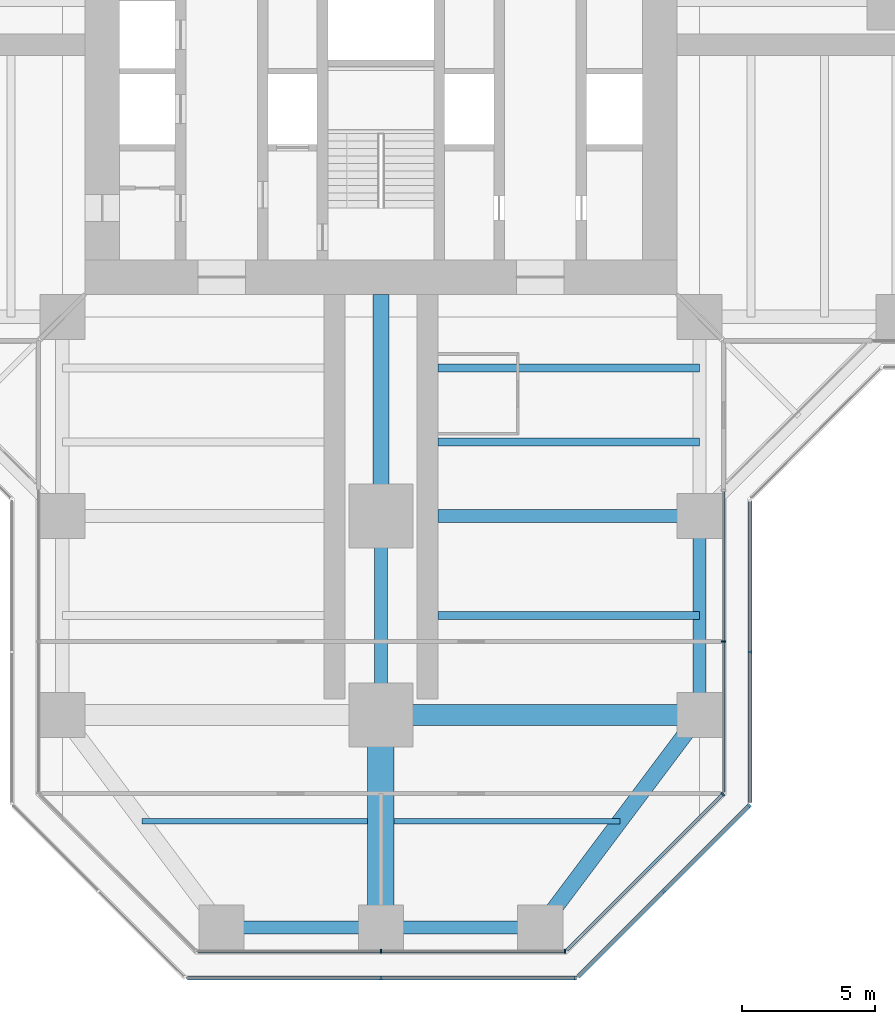
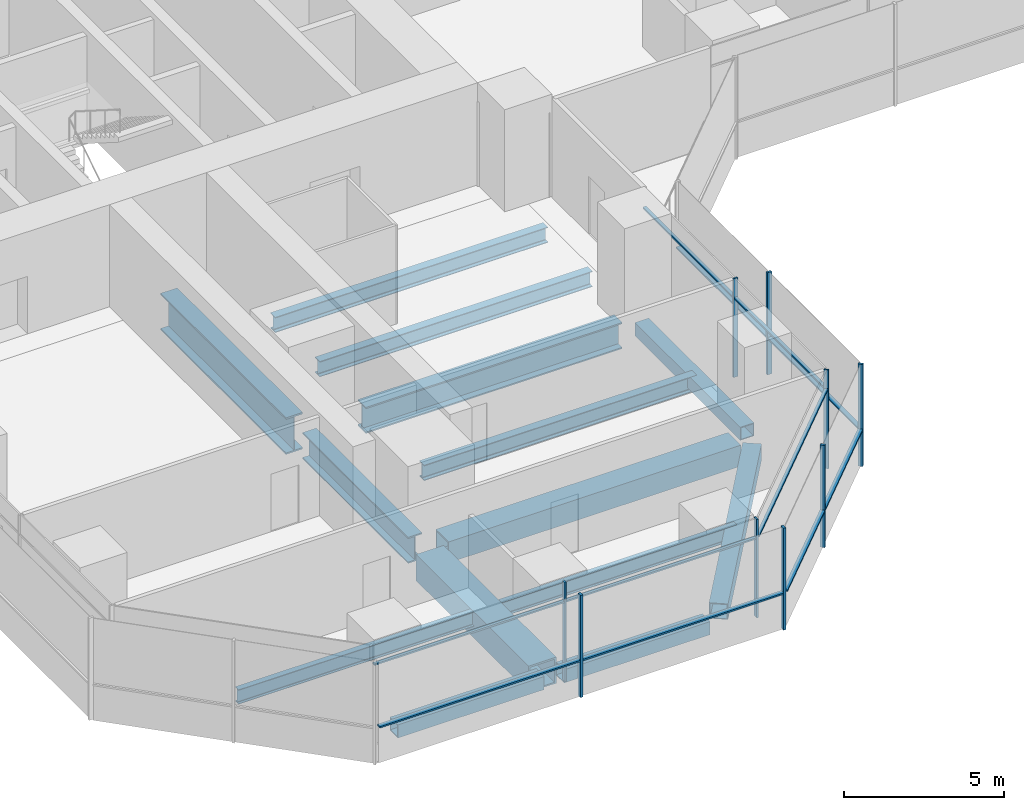
# One storey, part 5 of 22: 20 members, 14 beams, 6 elements without a shape of their own.
"""IFC4 building model written with IfcOpenShell, lengths in metres."""

from ifc_helpers import new_model, si_unit, direction, frame, origin, origin_2d, place, context, subcontext, project, spatial, rectangle, hollow_rectangle, i_section, extrude, material, material_profile, profile_set, type_object, element, aggregate, save


model = new_model("IFC4")

# Units and contexts
model_context = context("Model", 3, precision=1e-05, world=origin(), true_north=direction((0.0, 1.0)))
body_context = subcontext(model_context, "Body", "Model", "MODEL_VIEW")
ifc_project = project(units=[si_unit("LENGTHUNIT", "METRE"), si_unit("AREAUNIT", "SQUARE_METRE"), si_unit("VOLUMEUNIT", "CUBIC_METRE"), si_unit("PLANEANGLEUNIT", "RADIAN"), si_unit("MASSUNIT", "GRAM", prefix="KILO")], contexts=[model_context])

# Site, building, storey
site_placement = place(None, origin())
site = spatial("IfcSite", under=ifc_project, at=site_placement, CompositionType="ELEMENT")
building_placement = place(site_placement, origin())
building = spatial("IfcBuilding", under=site, at=building_placement, Name="Mizan Broadcast Tower", CompositionType="ELEMENT")
storey_placement = place(building_placement, frame((0.0, 0.0, 78.60009765625)))
storey = spatial("IfcBuildingStorey", under=building, at=storey_placement, Name="L16", CompositionType="ELEMENT", Elevation=78.60009765625)

# Beams
ifc_material_1 = material(Name="Steel S355", Category="steel")
ifc_material_profile_1 = material_profile(ifc_material_1, hollow_rectangle(XDim=0.5, YDim=0.5, WallThickness=0.030029296875, at=origin_2d()), Name="BOX 500x500x30")
ifc_profile_set_1 = profile_set([ifc_material_profile_1], Name="Steel S355")
beam_type_1 = type_object("IfcBeamType", Name="EDGE BEAM BOX 500x500x30", PredefinedType="SPANDREL", material=ifc_profile_set_1)
beam_1_placement = place(storey_placement, frame((-5.639892578125, -35.0, -0.380126953125), z_axis=(1.0, 0.0, 0.0), x_axis=(0.0, 1.0, 0.0)))
element("IfcBeam", 1, at=beam_1_placement, inside=storey, type_object=beam_type_1, Name="Edge beam BOX 500x500x30 L16 south arm", PredefinedType="SPANDREL", context=body_context, shape_type="SweptSolid", body=[
    extrude(hollow_rectangle(XDim=0.5, YDim=0.5, WallThickness=0.030029296875, at=origin_2d()), origin(), (0.0, 0.0, 1.0), 5.27978515625),
])
beam_2_placement = place(storey_placement, frame((12.0, -19.949951171875, -0.380126953125), z_axis=(0.0, -1.0, 0.0), x_axis=(1.0, 0.0, 0.0)))
element("IfcBeam", 2, at=beam_2_placement, inside=storey, type_object=beam_type_1, Name="Edge beam BOX 500x500x30 L16 south arm", PredefinedType="SPANDREL", context=body_context, shape_type="SweptSolid", body=[
    extrude(hollow_rectangle(XDim=0.5, YDim=0.5, WallThickness=0.030029296875, at=origin_2d()), origin(), (0.0, 0.0, 1.0), 6.60009765625),
])
beam_3_placement = place(storey_placement, frame((5.639892578125, -35.0, -0.380126953125), z_axis=(-1.0, 0.0, 0.0), x_axis=(0.0, -1.0, 0.0)))
element("IfcBeam", 3, at=beam_3_placement, inside=storey, type_object=beam_type_1, Name="Edge beam BOX 500x500x30 L16 south arm", PredefinedType="SPANDREL", context=body_context, shape_type="SweptSolid", body=[
    extrude(hollow_rectangle(XDim=0.5, YDim=0.5, WallThickness=0.030029296875, at=origin_2d()), origin(), (0.0, 0.0, 1.0), 5.27978515625),
])
ifc_material_2 = material(Name="Steel S355", Category="steel")
ifc_material_profile_2 = material_profile(ifc_material_2, hollow_rectangle(XDim=0.60009765625, YDim=0.60009765625, WallThickness=0.030029296875, at=origin_2d()), Name="BOX 600x600x30")
ifc_profile_set_2 = profile_set([ifc_material_profile_2], Name="Steel S355")
beam_type_2 = type_object("IfcBeamType", Name="EDGE BEAM BOX 600x600x30", PredefinedType="SPANDREL", material=ifc_profile_set_2)
beam_4_placement = place(storey_placement, frame((11.639892578125, -27.47998046875, -0.43017578125), z_axis=(-0.599982243973, -0.800013316712, 0.0), x_axis=(0.800013316712, -0.599982243973, 0.0)))
element("IfcBeam", 4, at=beam_4_placement, inside=storey, type_object=beam_type_2, Name="Edge beam BOX 600x600x30 L16 south arm", PredefinedType="SPANDREL", context=body_context, shape_type="SweptSolid", body=[
    extrude(hollow_rectangle(XDim=0.60009765625, YDim=0.60009765625, WallThickness=0.030029296875, at=origin_2d()), origin(), (0.0, 0.0, 1.0), 8.7998046875),
])
ifc_material_3 = material(Name="Steel S460", Category="steel")
ifc_material_profile_3 = material_profile(ifc_material_3, hollow_rectangle(XDim=1.0, YDim=1.0, WallThickness=0.06005859375, at=origin_2d()), Name="BOX 1000x1000x60")
ifc_profile_set_3 = profile_set([ifc_material_profile_3], Name="Steel S460")
beam_type_3 = type_object("IfcBeamType", Name="GIRDER BOX 1000x1000x60", PredefinedType="BEAM", material=ifc_profile_set_3)
beam_5_placement = place(storey_placement, frame((0.0, -27.47998046875, -0.630126953125), z_axis=(0.0, -1.0, 0.0), x_axis=(1.0, 0.0, 0.0)))
element("IfcBeam", 5, at=beam_5_placement, inside=storey, type_object=beam_type_3, Name="Girder BOX 1000x1000x60 L16 south arm", PredefinedType="BEAM", context=body_context, shape_type="SweptSolid", body=[
    extrude(hollow_rectangle(XDim=1.0, YDim=1.0, WallThickness=0.06005859375, at=origin_2d()), origin(), (0.0, 0.0, 1.0), 7.0400390625),
])
ifc_material_4 = material(Name="Steel S460", Category="steel")
ifc_material_profile_4 = material_profile(ifc_material_4, hollow_rectangle(XDim=0.800048828125, YDim=0.800048828125, WallThickness=0.050048828125, at=origin_2d()), Name="BOX 800x800x50")
ifc_profile_set_4 = profile_set([ifc_material_profile_4], Name="Steel S460")
beam_type_4 = type_object("IfcBeamType", Name="GIRDER BOX 800x800x50", PredefinedType="BEAM", material=ifc_profile_set_4)
beam_6_placement = place(storey_placement, frame((11.280029296875, -27.0, -0.530029296875), z_axis=(-1.0, 0.0, 0.0), x_axis=(0.0, -1.0, 0.0)))
element("IfcBeam", 6, at=beam_6_placement, inside=storey, type_object=beam_type_4, Name="Girder BOX 800x800x50 L16 south arm", PredefinedType="BEAM", context=body_context, shape_type="SweptSolid", body=[
    extrude(hollow_rectangle(XDim=0.800048828125, YDim=0.800048828125, WallThickness=0.050048828125, at=origin_2d()), origin(), (0.0, 0.0, 1.0), 10.56005859375),
])
ifc_material_5 = material(Name="Steel S460", Category="steel")
ifc_material_profile_5 = material_profile(ifc_material_5, i_section(OverallWidth=0.5, OverallDepth=1.0, WebThickness=0.02490234375, FlangeThickness=0.050048828125, at=origin_2d()), Name="WPG 1000x500")
ifc_profile_set_5 = profile_set([ifc_material_profile_5], Name="Steel S460")
beam_type_5 = type_object("IfcBeamType", Name="GIRDER WPG 1000x500", PredefinedType="BEAM", material=ifc_profile_set_5)
beam_7_placement = place(storey_placement, frame((0.0, -19.949951171875, -0.630126953125), z_axis=(0.0, -1.0, 0.0), x_axis=(1.0, 0.0, 0.0)))
element("IfcBeam", 7, at=beam_7_placement, inside=storey, type_object=beam_type_5, Name="Girder WPG 1000x500 L16 south arm", PredefinedType="BEAM", context=body_context, shape_type="SweptSolid", body=[
    extrude(i_section(OverallWidth=0.5, OverallDepth=1.0, WebThickness=0.02490234375, FlangeThickness=0.050048828125, at=origin_2d()), origin(), (0.0, 0.0, 1.0), 6.60009765625),
])
beam_8_placement = place(storey_placement, frame((11.408935546875, -19.5, -0.630126953125), z_axis=(-1.0, 0.0, 0.0), x_axis=(0.0, -1.0, 0.0)))
element("IfcBeam", 8, at=beam_8_placement, inside=storey, type_object=beam_type_5, Name="Girder WPG 1000x500 L16 south arm", PredefinedType="BEAM", context=body_context, shape_type="SweptSolid", body=[
    extrude(i_section(OverallWidth=0.5, OverallDepth=1.0, WebThickness=0.02490234375, FlangeThickness=0.050048828125, at=origin_2d()), origin(), (0.0, 0.0, 1.0), 9.259033203125),
])
ifc_material_6 = material(Name="Steel S460", Category="steel")
ifc_material_profile_6 = material_profile(ifc_material_6, i_section(OverallWidth=0.60009765625, OverallDepth=1.39990234375, WebThickness=0.02490234375, FlangeThickness=0.06005859375, at=origin_2d()), Name="WPG 1400x600")
ifc_profile_set_6 = profile_set([ifc_material_profile_6], Name="Steel S460")
beam_type_6 = type_object("IfcBeamType", Name="GIRDER WPG 1400x600", PredefinedType="BEAM", material=ifc_profile_set_6)
beam_9_placement = place(storey_placement, frame((0.0, -11.14990234375, -0.830078125), z_axis=(0.0, -1.0, 0.0), x_axis=(1.0, 0.0, 0.0)))
element("IfcBeam", 9, at=beam_9_placement, inside=storey, type_object=beam_type_6, Name="Girder WPG 1400x600 L16 south arm", PredefinedType="BEAM", context=body_context, shape_type="SweptSolid", body=[
    extrude(i_section(OverallWidth=0.60009765625, OverallDepth=1.39990234375, WebThickness=0.02490234375, FlangeThickness=0.06005859375, at=origin_2d()), origin(), (0.0, 0.0, 1.0), 7.84912109375),
])

# Curtain wall, members
ifc_material_7 = material(Name="Aluminium framed glazing", Category="aluminium")
curtain_wall_type_1 = type_object("IfcCurtainWallType", Name="INNER SKIN LOW ZONE", PredefinedType="USERDEFINED", material=ifc_material_7)
curtain_wall_1_placement = place(storey_placement, origin())
curtain_wall_1 = element("IfcCurtainWall", 10, at=curtain_wall_1_placement, inside=storey, type_object=curtain_wall_type_1, Name="Inner skin low zone L16 S end", ObjectType="INNER SKIN LOW ZONE", PredefinedType="USERDEFINED")
ifc_material_8 = material(Name="Aluminium, pale anodised", Category="aluminium")
ifc_material_profile_7 = material_profile(ifc_material_8, rectangle(XDim=0.159912109375, YDim=0.06005859375, at=origin_2d()), Name="MULLION 160x60")
ifc_profile_set_7 = profile_set([ifc_material_profile_7], Name="Aluminium, pale anodised")
member_type_1 = type_object("IfcMemberType", Name="INNER SKIN MULLION 60x160", PredefinedType="MULLION", material=ifc_profile_set_7)
member_1_placement = place(storey_placement, frame((0.0, -35.89990234375, 0.0), z_axis=(0.0, 0.0, 1.0), x_axis=(0.0, 1.0, 0.0)))
member_1 = element("IfcMember", 11, at=member_1_placement, type_object=member_type_1, Name="Inner skin low zone L16 S end mullion 2", PredefinedType="MULLION", context=body_context, shape_type="SweptSolid", body=[
    extrude(rectangle(XDim=0.159912109375, YDim=0.06005859375, at=origin_2d()), origin(), (0.0, 0.0, 1.0), 3.77001953125),
])
member_2_placement = place(storey_placement, frame((6.928466796875, -35.89990234375, 0.0), z_axis=(0.0, 0.0, 1.0), x_axis=(0.0, 1.0, 0.0)))
member_2 = element("IfcMember", 12, at=member_2_placement, type_object=member_type_1, Name="Inner skin low zone L16 S end mullion 3", PredefinedType="MULLION", context=body_context, shape_type="SweptSolid", body=[
    extrude(rectangle(XDim=0.159912109375, YDim=0.06005859375, at=origin_2d()), origin(), (0.0, 0.0, 1.0), 3.77001953125),
])

# Curtain wall, member
curtain_wall_2_placement = place(storey_placement, origin())
curtain_wall_2 = element("IfcCurtainWall", 13, at=curtain_wall_2_placement, inside=storey, type_object=curtain_wall_type_1, Name="Inner skin low zone L16 S chamfer", ObjectType="INNER SKIN LOW ZONE", PredefinedType="USERDEFINED")
member_3_placement = place(storey_placement, frame((12.87890625, -29.979736328125, 0.0), z_axis=(0.0, 0.0, 1.0), x_axis=(-0.707106781187, 0.707106781187, 0.0)))
member_3 = element("IfcMember", 14, at=member_3_placement, type_object=member_type_1, Name="Inner skin low zone L16 S chamfer mullion 2", PredefinedType="MULLION", context=body_context, shape_type="SweptSolid", body=[
    extrude(rectangle(XDim=0.159912109375, YDim=0.06005859375, at=origin_2d()), origin(), (0.0, 0.0, 1.0), 3.77001953125),
])

curtain_wall_3_placement = place(storey_placement, origin())
curtain_wall_3 = element("IfcCurtainWall", 15, at=curtain_wall_3_placement, inside=storey, type_object=curtain_wall_type_1, Name="Inner skin low zone L16 S side", ObjectType="INNER SKIN LOW ZONE", PredefinedType="USERDEFINED")
member_4_placement = place(storey_placement, frame((12.89990234375, -24.229248046875, 0.0), z_axis=(0.0, 0.0, 1.0), x_axis=(-1.0, 0.0, 0.0)))
member_4 = element("IfcMember", 16, at=member_4_placement, type_object=member_type_1, Name="Inner skin low zone L16 S side mullion 2", PredefinedType="MULLION", context=body_context, shape_type="SweptSolid", body=[
    extrude(rectangle(XDim=0.159912109375, YDim=0.06005859375, at=origin_2d()), origin(), (0.0, 0.0, 1.0), 3.77001953125),
])

# Member
ifc_material_9 = material(Name="Aluminium, pale anodised", Category="aluminium")
ifc_material_profile_8 = material_profile(ifc_material_9, rectangle(XDim=0.1201171875, YDim=0.06005859375, at=origin_2d()), Name="TRANSOM 120x60")
ifc_profile_set_8 = profile_set([ifc_material_profile_8], Name="Aluminium, pale anodised")
member_type_2 = type_object("IfcMemberType", Name="INNER SKIN TRANSOM 60x120", PredefinedType="USERDEFINED", material=ifc_profile_set_8)
member_5_placement = place(storey_placement, frame((-6.898681640625, -35.89990234375, 3.02978515625), z_axis=(1.0, 0.0, 0.0), x_axis=(0.0, 1.0, 0.0)))
member_5 = element("IfcMember", 17, at=member_5_placement, type_object=member_type_2, Name="Inner skin low zone L16 S end transom 1.1", ObjectType="TRANSOM", PredefinedType="USERDEFINED", context=body_context, shape_type="SweptSolid", body=[
    extrude(rectangle(XDim=0.1201171875, YDim=0.06005859375, at=origin_2d()), origin(), (0.0, 0.0, 1.0), 6.86865234375),
])

member_6_placement = place(storey_placement, frame((0.030029296875, -35.89990234375, 3.02978515625), z_axis=(1.0, 0.0, 0.0), x_axis=(0.0, 1.0, 0.0)))
member_6 = element("IfcMember", 18, at=member_6_placement, type_object=member_type_2, Name="Inner skin low zone L16 S end transom 2.1", ObjectType="TRANSOM", PredefinedType="USERDEFINED", context=body_context, shape_type="SweptSolid", body=[
    extrude(rectangle(XDim=0.1201171875, YDim=0.06005859375, at=origin_2d()), origin(), (0.0, 0.0, 1.0), 6.86865234375),
])

aggregate(curtain_wall_1, [member_1, member_2, member_5, member_6])

member_7_placement = place(storey_placement, frame((7.0009765625, -35.857666015625, 3.02978515625), z_axis=(0.707106781187, 0.707106781187, 0.0), x_axis=(-0.707106781187, 0.707106781187, 0.0)))
member_7 = element("IfcMember", 19, at=member_7_placement, type_object=member_type_2, Name="Inner skin low zone L16 S chamfer transom 1.1", ObjectType="TRANSOM", PredefinedType="USERDEFINED", context=body_context, shape_type="SweptSolid", body=[
    extrude(rectangle(XDim=0.1201171875, YDim=0.06005859375, at=origin_2d()), origin(), (0.0, 0.0, 1.0), 8.28271484375),
])

aggregate(curtain_wall_2, [member_3, member_7])

member_8_placement = place(storey_placement, frame((12.89990234375, -29.898681640625, 3.02978515625), z_axis=(0.0, 1.0, 0.0), x_axis=(-1.0, 0.0, 0.0)))
member_8 = element("IfcMember", 20, at=member_8_placement, type_object=member_type_2, Name="Inner skin low zone L16 S side transom 1.1", ObjectType="TRANSOM", PredefinedType="USERDEFINED", context=body_context, shape_type="SweptSolid", body=[
    extrude(rectangle(XDim=0.1201171875, YDim=0.06005859375, at=origin_2d()), origin(), (0.0, 0.0, 1.0), 5.639404296875),
])

member_9_placement = place(storey_placement, frame((12.89990234375, -24.19921875, 3.02978515625), z_axis=(0.0, 1.0, 0.0), x_axis=(-1.0, 0.0, 0.0)))
member_9 = element("IfcMember", 21, at=member_9_placement, type_object=member_type_2, Name="Inner skin low zone L16 S side transom 2.1", ObjectType="TRANSOM", PredefinedType="USERDEFINED", context=body_context, shape_type="SweptSolid", body=[
    extrude(rectangle(XDim=0.1201171875, YDim=0.06005859375, at=origin_2d()), origin(), (0.0, 0.0, 1.0), 5.63916015625),
])

aggregate(curtain_wall_3, [member_4, member_8, member_9])

# Curtain wall, members
ifc_material_10 = material(Name="Aluminium framed glazing", Category="aluminium")
curtain_wall_type_2 = type_object("IfcCurtainWallType", Name="OUTER SKIN", PredefinedType="USERDEFINED", material=ifc_material_10)
curtain_wall_4_placement = place(storey_placement, origin())
curtain_wall_4 = element("IfcCurtainWall", 22, at=curtain_wall_4_placement, inside=storey, type_object=curtain_wall_type_2, Name="Outer skin L16 S end", ObjectType="OUTER SKIN", PredefinedType="USERDEFINED")
ifc_material_11 = material(Name="Aluminium, pale anodised", Category="aluminium")
ifc_material_profile_9 = material_profile(ifc_material_11, rectangle(XDim=0.159912109375, YDim=0.080078125, at=origin_2d()), Name="MULLION 160x80")
ifc_profile_set_9 = profile_set([ifc_material_profile_9], Name="Aluminium, pale anodised")
member_type_3 = type_object("IfcMemberType", Name="OUTER SKIN MULLION 80x160", PredefinedType="MULLION", material=ifc_profile_set_9)
member_10_placement = place(storey_placement, frame((0.0, -36.89990234375, 0.0), z_axis=(0.0, 0.0, 1.0), x_axis=(0.0, 1.0, 0.0)))
member_10 = element("IfcMember", 23, at=member_10_placement, type_object=member_type_3, Name="Outer skin L16 S end mullion 2", PredefinedType="MULLION", context=body_context, shape_type="SweptSolid", body=[
    extrude(rectangle(XDim=0.159912109375, YDim=0.080078125, at=origin_2d()), origin(), (0.0, 0.0, 1.0), 3.89990234375),
])
member_11_placement = place(storey_placement, frame((7.332763671875, -36.89990234375, 0.0), z_axis=(0.0, 0.0, 1.0), x_axis=(0.0, 1.0, 0.0)))
member_11 = element("IfcMember", 24, at=member_11_placement, type_object=member_type_3, Name="Outer skin L16 S end mullion 3", PredefinedType="MULLION", context=body_context, shape_type="SweptSolid", body=[
    extrude(rectangle(XDim=0.159912109375, YDim=0.080078125, at=origin_2d()), origin(), (0.0, 0.0, 1.0), 3.89990234375),
])

curtain_wall_5_placement = place(storey_placement, origin())
curtain_wall_5 = element("IfcCurtainWall", 25, at=curtain_wall_5_placement, inside=storey, type_object=curtain_wall_type_2, Name="Outer skin L16 S chamfer", ObjectType="OUTER SKIN", PredefinedType="USERDEFINED")
member_12_placement = place(storey_placement, frame((10.636474609375, -33.636474609375, 0.0), z_axis=(0.0, 0.0, 1.0), x_axis=(-0.707106781187, 0.707106781187, 0.0)))
member_12 = element("IfcMember", 26, at=member_12_placement, type_object=member_type_3, Name="Outer skin L16 S chamfer mullion 2", PredefinedType="MULLION", context=body_context, shape_type="SweptSolid", body=[
    extrude(rectangle(XDim=0.159912109375, YDim=0.080078125, at=origin_2d()), origin(), (0.0, 0.0, 1.0), 3.89990234375),
])
member_13_placement = place(storey_placement, frame((13.871826171875, -30.401123046875, 0.0), z_axis=(0.0, 0.0, 1.0), x_axis=(-0.707106781187, 0.707106781187, 0.0)))
member_13 = element("IfcMember", 27, at=member_13_placement, type_object=member_type_3, Name="Outer skin L16 S chamfer mullion 3", PredefinedType="MULLION", context=body_context, shape_type="SweptSolid", body=[
    extrude(rectangle(XDim=0.159912109375, YDim=0.080078125, at=origin_2d()), origin(), (0.0, 0.0, 1.0), 3.89990234375),
])

# Curtain wall, member
curtain_wall_6_placement = place(storey_placement, origin())
curtain_wall_6 = element("IfcCurtainWall", 28, at=curtain_wall_6_placement, inside=storey, type_object=curtain_wall_type_2, Name="Outer skin L16 S side", ObjectType="OUTER SKIN", PredefinedType="USERDEFINED")
member_14_placement = place(storey_placement, frame((13.89990234375, -24.622802734375, 0.0), z_axis=(0.0, 0.0, 1.0), x_axis=(-1.0, 0.0, 0.0)))
member_14 = element("IfcMember", 29, at=member_14_placement, type_object=member_type_3, Name="Outer skin L16 S side mullion 2", PredefinedType="MULLION", context=body_context, shape_type="SweptSolid", body=[
    extrude(rectangle(XDim=0.159912109375, YDim=0.080078125, at=origin_2d()), origin(), (0.0, 0.0, 1.0), 3.89990234375),
])

# Member
ifc_material_12 = material(Name="Aluminium, pale anodised", Category="aluminium")
ifc_material_profile_10 = material_profile(ifc_material_12, rectangle(XDim=0.159912109375, YDim=0.06005859375, at=origin_2d()), Name="TRANSOM 160x60")
ifc_profile_set_10 = profile_set([ifc_material_profile_10], Name="Aluminium, pale anodised")
member_type_4 = type_object("IfcMemberType", Name="OUTER SKIN TRANSOM 60x160", PredefinedType="USERDEFINED", material=ifc_profile_set_10)
member_15_placement = place(storey_placement, frame((-7.292724609375, -36.89990234375, 1.39990234375), z_axis=(1.0, 0.0, 0.0), x_axis=(0.0, 1.0, 0.0)))
member_15 = element("IfcMember", 30, at=member_15_placement, type_object=member_type_4, Name="Outer skin L16 S end transom 1.1", ObjectType="TRANSOM", PredefinedType="USERDEFINED", context=body_context, shape_type="SweptSolid", body=[
    extrude(rectangle(XDim=0.159912109375, YDim=0.06005859375, at=origin_2d()), origin(), (0.0, 0.0, 1.0), 7.252685546875),
])

member_16_placement = place(storey_placement, frame((0.0400390625, -36.89990234375, 1.39990234375), z_axis=(1.0, 0.0, 0.0), x_axis=(0.0, 1.0, 0.0)))
member_16 = element("IfcMember", 31, at=member_16_placement, type_object=member_type_4, Name="Outer skin L16 S end transom 2.1", ObjectType="TRANSOM", PredefinedType="USERDEFINED", context=body_context, shape_type="SweptSolid", body=[
    extrude(rectangle(XDim=0.159912109375, YDim=0.06005859375, at=origin_2d()), origin(), (0.0, 0.0, 1.0), 7.252685546875),
])

aggregate(curtain_wall_4, [member_10, member_11, member_15, member_16])

member_17_placement = place(storey_placement, frame((7.429443359375, -36.843505859375, 1.39990234375), z_axis=(0.707106781187, 0.707106781187, 0.0), x_axis=(-0.707106781187, 0.707106781187, 0.0)))
member_17 = element("IfcMember", 32, at=member_17_placement, type_object=member_type_4, Name="Outer skin L16 S chamfer transom 1.1", ObjectType="TRANSOM", PredefinedType="USERDEFINED", context=body_context, shape_type="SweptSolid", body=[
    extrude(rectangle(XDim=0.159912109375, YDim=0.06005859375, at=origin_2d()), origin(), (0.0, 0.0, 1.0), 4.495361328125),
])

member_18_placement = place(storey_placement, frame((10.664794921875, -33.608154296875, 1.39990234375), z_axis=(0.707106781187, 0.707106781187, 0.0), x_axis=(-0.707106781187, 0.707106781187, 0.0)))
member_18 = element("IfcMember", 33, at=member_18_placement, type_object=member_type_4, Name="Outer skin L16 S chamfer transom 2.1", ObjectType="TRANSOM", PredefinedType="USERDEFINED", context=body_context, shape_type="SweptSolid", body=[
    extrude(rectangle(XDim=0.159912109375, YDim=0.06005859375, at=origin_2d()), origin(), (0.0, 0.0, 1.0), 4.495361328125),
])

aggregate(curtain_wall_5, [member_12, member_13, member_17, member_18])

member_19_placement = place(storey_placement, frame((13.89990234375, -30.292724609375, 1.39990234375), z_axis=(0.0, 1.0, 0.0), x_axis=(-1.0, 0.0, 0.0)))
member_19 = element("IfcMember", 34, at=member_19_placement, type_object=member_type_4, Name="Outer skin L16 S side transom 1.1", ObjectType="TRANSOM", PredefinedType="USERDEFINED", context=body_context, shape_type="SweptSolid", body=[
    extrude(rectangle(XDim=0.159912109375, YDim=0.06005859375, at=origin_2d()), origin(), (0.0, 0.0, 1.0), 5.6298828125),
])

member_20_placement = place(storey_placement, frame((13.89990234375, -24.582763671875, 1.39990234375), z_axis=(0.0, 1.0, 0.0), x_axis=(-1.0, 0.0, 0.0)))
member_20 = element("IfcMember", 35, at=member_20_placement, type_object=member_type_4, Name="Outer skin L16 S side transom 2.1", ObjectType="TRANSOM", PredefinedType="USERDEFINED", context=body_context, shape_type="SweptSolid", body=[
    extrude(rectangle(XDim=0.159912109375, YDim=0.06005859375, at=origin_2d()), origin(), (0.0, 0.0, 1.0), 5.6298828125),
])

aggregate(curtain_wall_6, [member_14, member_19, member_20])

# Beams
ifc_material_13 = material(Name="Steel S355", Category="steel")
ifc_material_profile_11 = material_profile(ifc_material_13, i_section(OverallWidth=0.300048828125, OverallDepth=0.590087890625, WebThickness=0.012939453125, FlangeThickness=0.02490234375, FilletRadius=0.027099609375, at=origin_2d()), Name="HEA 600")
ifc_profile_set_11 = profile_set([ifc_material_profile_11], Name="Steel S355")
beam_type_7 = type_object("IfcBeamType", Name="SECONDARY BEAM HEA 600", PredefinedType="JOIST", material=ifc_profile_set_11)
for number, where, z_axis, x_axis, name in (
    (36, (12.0, -13.933349609375, -0.425048828125), (-1.0, 0.0, 0.0), (0.0, -1.0, 0.0), "Secondary beam HEA 600 L16 south arm"),
    (37, (12.0, -16.716552734375, -0.425048828125), (-1.0, 0.0, 0.0), (0.0, -1.0, 0.0), "Secondary beam HEA 600 L16 south arm"),
    (38, (12.0, -23.25, -0.425048828125), (-1.0, 0.0, 0.0), (0.0, -1.0, 0.0), "Secondary beam HEA 600 L16 south arm"),
):
    element("IfcBeam", number, at=place(storey_placement, frame(where, z_axis=z_axis, x_axis=x_axis)), inside=storey, type_object=beam_type_7, Name=name, PredefinedType="JOIST", context=body_context, shape_type="SweptSolid", body=[
        extrude(i_section(OverallWidth=0.300048828125, OverallDepth=0.590087890625, WebThickness=0.012939453125, FlangeThickness=0.02490234375, FilletRadius=0.027099609375, at=origin_2d()), origin(), (0.0, 0.0, 1.0), 9.85009765625),
    ])
ifc_material_14 = material(Name="Steel S355", Category="steel")
ifc_material_profile_12 = material_profile(ifc_material_14, i_section(OverallWidth=0.2099609375, OverallDepth=0.550048828125, WebThickness=0.010986328125, FlangeThickness=0.01708984375, FilletRadius=0.02392578125, at=origin_2d()), Name="IPE 550")
ifc_profile_set_12 = profile_set([ifc_material_profile_12], Name="Steel S355")
beam_type_8 = type_object("IfcBeamType", Name="SECONDARY BEAM IPE 550", PredefinedType="JOIST", material=ifc_profile_set_12)
for number, where, z_axis, x_axis, name in (
    (39, (-9.0, -31.0, -0.405029296875), (1.0, 0.0, 0.0), (0.0, 1.0, 0.0), "Secondary beam IPE 550 L16 south arm"),
    (40, (9.0, -31.0, -0.405029296875), (-1.0, 0.0, 0.0), (0.0, -1.0, 0.0), "Secondary beam IPE 550 L16 south arm"),
):
    element("IfcBeam", number, at=place(storey_placement, frame(where, z_axis=z_axis, x_axis=x_axis)), inside=storey, type_object=beam_type_8, Name=name, PredefinedType="JOIST", context=body_context, shape_type="SweptSolid", body=[
        extrude(i_section(OverallWidth=0.2099609375, OverallDepth=0.550048828125, WebThickness=0.010986328125, FlangeThickness=0.01708984375, FilletRadius=0.02392578125, at=origin_2d()), origin(), (0.0, 0.0, 1.0), 8.5),
    ])

save(model, "model.ifc")
